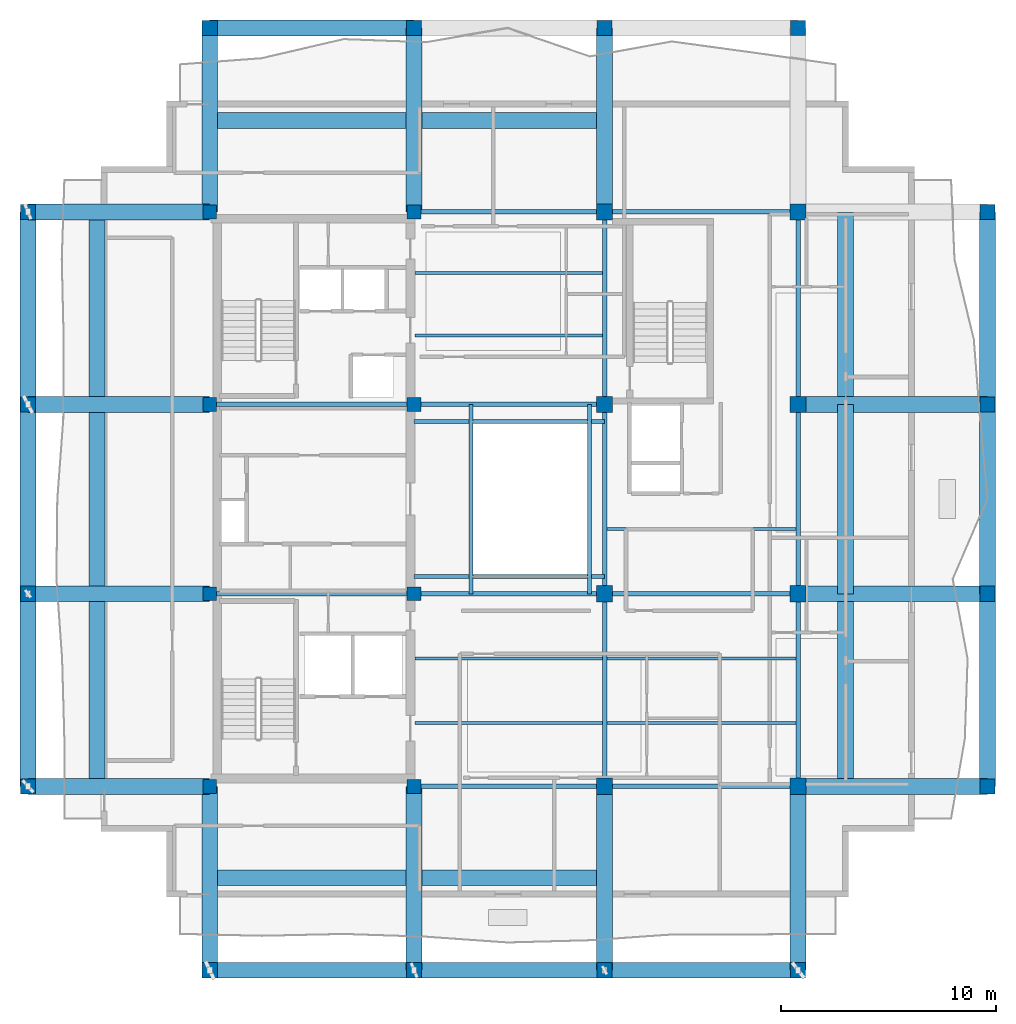
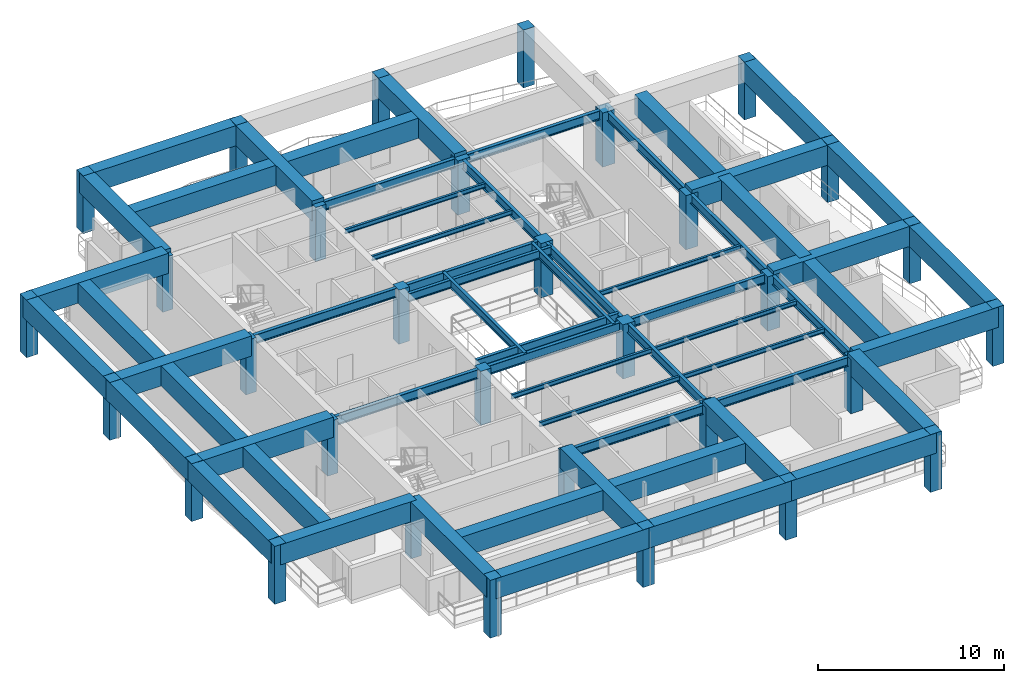
# One storey, part 1 of 10: 60 beams, 32 columns.
"""IFC4 building model written with IfcOpenShell, lengths in metres."""

from ifc_helpers import new_model, si_unit, direction, frame, origin, origin_2d, place, context, subcontext, project, spatial, rectangle, i_section, extrude, material, material_profile, profile_set, type_object, element, save


model = new_model("IFC4")

# Units and contexts
model_context = context("Model", 3, precision=1e-05, world=origin(), true_north=direction((0.0, 1.0)))
body_context = subcontext(model_context, "Body", "Model", "MODEL_VIEW")
ifc_project = project(units=[si_unit("LENGTHUNIT", "METRE"), si_unit("AREAUNIT", "SQUARE_METRE"), si_unit("VOLUMEUNIT", "CUBIC_METRE"), si_unit("PLANEANGLEUNIT", "RADIAN"), si_unit("MASSUNIT", "GRAM", prefix="KILO")], contexts=[model_context])

# Site, building, storey
site_placement = place(None, origin())
site = spatial("IfcSite", under=ifc_project, at=site_placement, CompositionType="ELEMENT")
building_placement = place(site_placement, origin())
building = spatial("IfcBuilding", under=site, at=building_placement, Name="Kundavana Baori Tower", CompositionType="ELEMENT")
storey_placement = place(building_placement, frame((0.0, 0.0, 323.89990234375)))
storey = spatial("IfcBuildingStorey", under=building, at=storey_placement, Name="L80", CompositionType="ELEMENT", Elevation=323.89990234375)

# Columns
ifc_material_1 = material(Name="Concrete C50/60", Category="concrete")
ifc_material_profile_1 = material_profile(ifc_material_1, rectangle(XDim=0.699951171875, YDim=0.699951171875, at=origin_2d()), Name="RC PF 700x700")
ifc_profile_set_1 = profile_set([ifc_material_profile_1], Name="Concrete C50/60")
column_type_1 = type_object("IfcColumnType", Name="COL-PF-700", PredefinedType="COLUMN", material=ifc_profile_set_1)
for number, where, z_axis, x_axis, name in (
    (1, (15.449951171875, 6.699951171875, 0.0), (0.0, 0.0, 1.0), (1.0, 0.0, 0.0), "L80 Stone-Clad Perimeter Frame Column PF-S1"),
    (2, (15.449951171875, 50.5, 0.0), (0.0, 0.0, 1.0), (1.0, 0.0, 0.0), "L80 Stone-Clad Perimeter Frame Column PF-N1"),
    (3, (24.949951171875, 6.699951171875, 0.0), (0.0, 0.0, 1.0), (1.0, 0.0, 0.0), "L80 Stone-Clad Perimeter Frame Column PF-S2"),
    (4, (24.949951171875, 50.5, 0.0), (0.0, 0.0, 1.0), (1.0, 0.0, 0.0), "L80 Stone-Clad Perimeter Frame Column PF-N2"),
    (5, (33.800048828125, 6.699951171875, 0.0), (0.0, 0.0, 1.0), (1.0, 0.0, 0.0), "L80 Stone-Clad Perimeter Frame Column PF-S3"),
    (6, (33.800048828125, 50.5, 0.0), (0.0, 0.0, 1.0), (1.0, 0.0, 0.0), "L80 Stone-Clad Perimeter Frame Column PF-N3"),
    (7, (42.800048828125, 6.699951171875, 0.0), (0.0, 0.0, 1.0), (1.0, 0.0, 0.0), "L80 Stone-Clad Perimeter Frame Column PF-S4"),
    (8, (42.800048828125, 50.5, 0.0), (0.0, 0.0, 1.0), (1.0, 0.0, 0.0), "L80 Stone-Clad Perimeter Frame Column PF-N4"),
    (9, (7.0, 15.25, 0.0), (0.0, 0.0, 1.0), (1.0, 0.0, 0.0), "L80 Stone-Clad Perimeter Frame Column PF-W1"),
    (10, (51.60009765625, 15.25, 0.0), (0.0, 0.0, 1.0), (1.0, 0.0, 0.0), "L80 Stone-Clad Perimeter Frame Column PF-E1"),
    (11, (7.0, 24.199951171875, 0.0), (0.0, 0.0, 1.0), (1.0, 0.0, 0.0), "L80 Stone-Clad Perimeter Frame Column PF-W2"),
    (12, (51.60009765625, 24.199951171875, 0.0), (0.0, 0.0, 1.0), (1.0, 0.0, 0.0), "L80 Stone-Clad Perimeter Frame Column PF-E2"),
    (13, (7.0, 33.0, 0.0), (0.0, 0.0, 1.0), (1.0, 0.0, 0.0), "L80 Stone-Clad Perimeter Frame Column PF-W3"),
    (14, (51.60009765625, 33.0, 0.0), (0.0, 0.0, 1.0), (1.0, 0.0, 0.0), "L80 Stone-Clad Perimeter Frame Column PF-E3"),
    (15, (7.0, 41.949951171875, 0.0), (0.0, 0.0, 1.0), (1.0, 0.0, 0.0), "L80 Stone-Clad Perimeter Frame Column PF-W4"),
    (16, (51.60009765625, 41.949951171875, 0.0), (0.0, 0.0, 1.0), (1.0, 0.0, 0.0), "L80 Stone-Clad Perimeter Frame Column PF-E4"),
):
    element("IfcColumn", number, at=place(storey_placement, frame(where, z_axis=z_axis, x_axis=x_axis)), inside=storey, type_object=column_type_1, Name=name, PredefinedType="COLUMN", context=body_context, shape_type="SweptSolid", body=[
        extrude(rectangle(XDim=0.699951171875, YDim=0.699951171875, at=origin_2d()), origin(), (0.0, 0.0, 1.0), 3.800048828125),
    ])
ifc_material_2 = material(Name="Concrete C50/60", Category="concrete")
ifc_material_profile_2 = material_profile(ifc_material_2, rectangle(XDim=0.64990234375, YDim=0.64990234375, at=origin_2d()), Name="RC 650x650")
ifc_profile_set_2 = profile_set([ifc_material_profile_2], Name="Concrete C50/60")
column_type_2 = type_object("IfcColumnType", Name="COL-RC-650", PredefinedType="COLUMN", material=ifc_profile_set_2)
for number, where, z_axis, x_axis, name in (
    (17, (15.449951171875, 15.25, 0.0), (0.0, 0.0, 1.0), (1.0, 0.0, 0.0), "L80 Interior Column IC-3C"),
    (18, (15.449951171875, 24.199951171875, 0.0), (0.0, 0.0, 1.0), (1.0, 0.0, 0.0), "L80 Interior Column IC-3D"),
    (19, (15.449951171875, 33.0, 0.0), (0.0, 0.0, 1.0), (1.0, 0.0, 0.0), "L80 Interior Column IC-3E"),
    (20, (15.449951171875, 41.949951171875, 0.0), (0.0, 0.0, 1.0), (1.0, 0.0, 0.0), "L80 Interior Column IC-3F"),
    (21, (24.949951171875, 15.25, 0.0), (0.0, 0.0, 1.0), (1.0, 0.0, 0.0), "L80 Interior Column IC-4C"),
    (22, (24.949951171875, 24.199951171875, 0.0), (0.0, 0.0, 1.0), (1.0, 0.0, 0.0), "L80 Interior Column IC-4D"),
    (23, (24.949951171875, 33.0, 0.0), (0.0, 0.0, 1.0), (1.0, 0.0, 0.0), "L80 Interior Column IC-4E"),
    (24, (24.949951171875, 41.949951171875, 0.0), (0.0, 0.0, 1.0), (1.0, 0.0, 0.0), "L80 Interior Column IC-4F"),
):
    element("IfcColumn", number, at=place(storey_placement, frame(where, z_axis=z_axis, x_axis=x_axis)), inside=storey, type_object=column_type_2, Name=name, PredefinedType="COLUMN", context=body_context, shape_type="SweptSolid", body=[
        extrude(rectangle(XDim=0.64990234375, YDim=0.64990234375, at=origin_2d()), origin(), (0.0, 0.0, 1.0), 3.56005859375),
    ])
ifc_material_3 = material(Name="Concrete C50/60", Category="concrete")
ifc_material_profile_3 = material_profile(ifc_material_3, rectangle(XDim=0.75, YDim=0.75, at=origin_2d()), Name="RC 750x750")
ifc_profile_set_3 = profile_set([ifc_material_profile_3], Name="Concrete C50/60")
column_type_3 = type_object("IfcColumnType", Name="COL-RC-750", PredefinedType="COLUMN", material=ifc_profile_set_3)
for number, where, z_axis, x_axis, name in (
    (25, (33.800048828125, 15.25, 0.0), (0.0, 0.0, 1.0), (1.0, 0.0, 0.0), "L80 Interior Column IC-5C"),
    (26, (33.800048828125, 24.199951171875, 0.0), (0.0, 0.0, 1.0), (1.0, 0.0, 0.0), "L80 Interior Column IC-5D"),
    (27, (33.800048828125, 33.0, 0.0), (0.0, 0.0, 1.0), (1.0, 0.0, 0.0), "L80 Interior Column IC-5E"),
    (28, (33.800048828125, 41.949951171875, 0.0), (0.0, 0.0, 1.0), (1.0, 0.0, 0.0), "L80 Interior Column IC-5F"),
    (29, (42.800048828125, 15.25, 0.0), (0.0, 0.0, 1.0), (1.0, 0.0, 0.0), "L80 Interior Column IC-6C"),
    (30, (42.800048828125, 24.199951171875, 0.0), (0.0, 0.0, 1.0), (1.0, 0.0, 0.0), "L80 Interior Column IC-6D"),
    (31, (42.800048828125, 33.0, 0.0), (0.0, 0.0, 1.0), (1.0, 0.0, 0.0), "L80 Interior Column IC-6E"),
    (32, (42.800048828125, 41.949951171875, 0.0), (0.0, 0.0, 1.0), (1.0, 0.0, 0.0), "L80 Interior Column IC-6F"),
):
    element("IfcColumn", number, at=place(storey_placement, frame(where, z_axis=z_axis, x_axis=x_axis)), inside=storey, type_object=column_type_3, Name=name, PredefinedType="COLUMN", context=body_context, shape_type="SweptSolid", body=[
        extrude(rectangle(XDim=0.75, YDim=0.75, at=origin_2d()), origin(), (0.0, 0.0, 1.0), 3.56005859375),
    ])

# Beams
ifc_material_4 = material(Name="Structural Steel S355JR", Category="steel")
ifc_material_profile_4 = material_profile(ifc_material_4, i_section(OverallWidth=0.139892578125, OverallDepth=0.300048828125, WebThickness=0.0078125, FlangeThickness=0.01318359375, FilletRadius=0.013916015625, at=origin_2d()), Name="ISMB 300")
ifc_profile_set_4 = profile_set([ifc_material_profile_4], Name="Structural Steel S355JR")
beam_type_1 = type_object("IfcBeamType", Name="BM-RF-300", PredefinedType="BEAM", material=ifc_profile_set_4)
for number, where, z_axis, x_axis, name in (
    (33, (24.97998046875, 18.199951171875, 3.41015625), (1.0, 0.0, 0.0), (0.0, 1.0, 0.0), "L80 Central Bay Composite Floor Joist C1"),
    (34, (24.97998046875, 21.199951171875, 3.41015625), (1.0, 0.0, 0.0), (0.0, 1.0, 0.0), "L80 Central Bay Composite Floor Joist C2"),
    (35, (24.97998046875, 36.199951171875, 3.41015625), (1.0, 0.0, 0.0), (0.0, 1.0, 0.0), "L80 Central Bay Composite Floor Joist C3"),
    (36, (24.97998046875, 39.10009765625, 3.41015625), (1.0, 0.0, 0.0), (0.0, 1.0, 0.0), "L80 Central Bay Composite Floor Joist C4"),
):
    element("IfcBeam", number, at=place(storey_placement, frame(where, z_axis=z_axis, x_axis=x_axis)), inside=storey, type_object=beam_type_1, Name=name, PredefinedType="BEAM", context=body_context, shape_type="SweptSolid", body=[
        extrude(i_section(OverallWidth=0.139892578125, OverallDepth=0.300048828125, WebThickness=0.0078125, FlangeThickness=0.01318359375, FilletRadius=0.013916015625, at=origin_2d()), origin(), (0.0, 0.0, 1.0), 8.715087890625),
    ])
for number, where, z_axis, x_axis, name in (
    (37, (33.905029296875, 18.199951171875, 3.41015625), (1.0, 0.0, 0.0), (0.0, 1.0, 0.0), "L80 East Bay Composite Floor Joist E1"),
    (38, (33.905029296875, 21.199951171875, 3.41015625), (1.0, 0.0, 0.0), (0.0, 1.0, 0.0), "L80 East Bay Composite Floor Joist E2"),
    (39, (33.905029296875, 27.199951171875, 3.41015625), (1.0, 0.0, 0.0), (0.0, 1.0, 0.0), "L80 East Bay Composite Floor Joist E3"),
):
    element("IfcBeam", number, at=place(storey_placement, frame(where, z_axis=z_axis, x_axis=x_axis)), inside=storey, type_object=beam_type_1, Name=name, PredefinedType="BEAM", context=body_context, shape_type="SweptSolid", body=[
        extrude(i_section(OverallWidth=0.139892578125, OverallDepth=0.300048828125, WebThickness=0.0078125, FlangeThickness=0.01318359375, FilletRadius=0.013916015625, at=origin_2d()), origin(), (0.0, 0.0, 1.0), 8.7900390625),
    ])
ifc_material_5 = material(Name="Structural Steel S355JR", Category="steel")
ifc_material_profile_5 = material_profile(ifc_material_5, i_section(OverallWidth=0.18994140625, OverallDepth=0.550048828125, WebThickness=0.01123046875, FlangeThickness=0.019287109375, FilletRadius=0.01806640625, at=origin_2d()), Name="ISMB 550")
ifc_profile_set_5 = profile_set([ifc_material_profile_5], Name="Structural Steel S355JR")
beam_type_2 = type_object("IfcBeamType", Name="BM-ST-550", PredefinedType="BEAM", material=ifc_profile_set_5)
for number, where, z_axis, x_axis, name in (
    (40, (27.60009765625, 24.199951171875, 3.28515625), (0.0, 1.0, 0.0), (-1.0, 0.0, 0.0), "L80 Atrium West Edge Beam"),
    (41, (33.10009765625, 24.199951171875, 3.28515625), (0.0, 1.0, 0.0), (-1.0, 0.0, 0.0), "L80 Atrium East Edge Beam"),
):
    element("IfcBeam", number, at=place(storey_placement, frame(where, z_axis=z_axis, x_axis=x_axis)), inside=storey, type_object=beam_type_2, Name=name, PredefinedType="BEAM", context=body_context, shape_type="SweptSolid", body=[
        extrude(i_section(OverallWidth=0.18994140625, OverallDepth=0.550048828125, WebThickness=0.01123046875, FlangeThickness=0.019287109375, FilletRadius=0.01806640625, at=origin_2d()), origin(), (0.0, 0.0, 1.0), 8.800048828125),
    ])
for number, where, z_axis, x_axis, name in (
    (42, (24.949951171875, 25.0, 3.28515625), (1.0, 0.0, 0.0), (0.0, 1.0, 0.0), "L80 Atrium South Edge Beam"),
    (43, (24.949951171875, 32.199951171875, 3.28515625), (1.0, 0.0, 0.0), (0.0, 1.0, 0.0), "L80 Atrium North Edge Beam"),
):
    element("IfcBeam", number, at=place(storey_placement, frame(where, z_axis=z_axis, x_axis=x_axis)), inside=storey, type_object=beam_type_2, Name=name, PredefinedType="BEAM", context=body_context, shape_type="SweptSolid", body=[
        extrude(i_section(OverallWidth=0.18994140625, OverallDepth=0.550048828125, WebThickness=0.01123046875, FlangeThickness=0.019287109375, FilletRadius=0.01806640625, at=origin_2d()), origin(), (0.0, 0.0, 1.0), 8.85009765625),
    ])
ifc_material_6 = material(Name="Structural Steel S355JR", Category="steel")
ifc_material_profile_6 = material_profile(ifc_material_6, i_section(OverallWidth=0.2099609375, OverallDepth=0.60009765625, WebThickness=0.011962890625, FlangeThickness=0.020751953125, FilletRadius=0.02001953125, at=origin_2d()), Name="ISMB 600")
ifc_profile_set_6 = profile_set([ifc_material_profile_6], Name="Structural Steel S355JR")
beam_type_3 = type_object("IfcBeamType", Name="BM-ST-600", PredefinedType="BEAM", material=ifc_profile_set_6)
beam_1_placement = place(storey_placement, frame((24.949951171875, 15.25, 3.260009765625), z_axis=(1.0, 0.0, 0.0), x_axis=(0.0, 1.0, 0.0)))
element("IfcBeam", 44, at=beam_1_placement, inside=storey, type_object=beam_type_3, Name="L80 Primary Grid Girder GX-1-2", PredefinedType="BEAM", context=body_context, shape_type="SweptSolid", body=[
    extrude(i_section(OverallWidth=0.2099609375, OverallDepth=0.60009765625, WebThickness=0.011962890625, FlangeThickness=0.020751953125, FilletRadius=0.02001953125, at=origin_2d()), origin(), (0.0, 0.0, 1.0), 8.85009765625),
])
beam_2_placement = place(storey_placement, frame((33.800048828125, 15.25, 3.260009765625), z_axis=(1.0, 0.0, 0.0), x_axis=(0.0, 1.0, 0.0)))
element("IfcBeam", 45, at=beam_2_placement, inside=storey, type_object=beam_type_3, Name="L80 Primary Grid Girder GX-1-3", PredefinedType="BEAM", context=body_context, shape_type="SweptSolid", body=[
    extrude(i_section(OverallWidth=0.2099609375, OverallDepth=0.60009765625, WebThickness=0.011962890625, FlangeThickness=0.020751953125, FilletRadius=0.02001953125, at=origin_2d()), origin(), (0.0, 0.0, 1.0), 9.0),
])
beam_3_placement = place(storey_placement, frame((15.449951171875, 24.199951171875, 3.260009765625), z_axis=(1.0, 0.0, 0.0), x_axis=(0.0, 1.0, 0.0)))
element("IfcBeam", 46, at=beam_3_placement, inside=storey, type_object=beam_type_3, Name="L80 Primary Grid Girder GX-2-1", PredefinedType="BEAM", context=body_context, shape_type="SweptSolid", body=[
    extrude(i_section(OverallWidth=0.2099609375, OverallDepth=0.60009765625, WebThickness=0.011962890625, FlangeThickness=0.020751953125, FilletRadius=0.02001953125, at=origin_2d()), origin(), (0.0, 0.0, 1.0), 9.5),
])
beam_4_placement = place(storey_placement, frame((24.949951171875, 24.199951171875, 3.260009765625), z_axis=(1.0, 0.0, 0.0), x_axis=(0.0, 1.0, 0.0)))
element("IfcBeam", 47, at=beam_4_placement, inside=storey, type_object=beam_type_3, Name="L80 Primary Grid Girder GX-2-2", PredefinedType="BEAM", context=body_context, shape_type="SweptSolid", body=[
    extrude(i_section(OverallWidth=0.2099609375, OverallDepth=0.60009765625, WebThickness=0.011962890625, FlangeThickness=0.020751953125, FilletRadius=0.02001953125, at=origin_2d()), origin(), (0.0, 0.0, 1.0), 8.85009765625),
])
beam_5_placement = place(storey_placement, frame((33.800048828125, 24.199951171875, 3.260009765625), z_axis=(1.0, 0.0, 0.0), x_axis=(0.0, 1.0, 0.0)))
element("IfcBeam", 48, at=beam_5_placement, inside=storey, type_object=beam_type_3, Name="L80 Primary Grid Girder GX-2-3", PredefinedType="BEAM", context=body_context, shape_type="SweptSolid", body=[
    extrude(i_section(OverallWidth=0.2099609375, OverallDepth=0.60009765625, WebThickness=0.011962890625, FlangeThickness=0.020751953125, FilletRadius=0.02001953125, at=origin_2d()), origin(), (0.0, 0.0, 1.0), 9.0),
])
beam_6_placement = place(storey_placement, frame((15.449951171875, 33.0, 3.260009765625), z_axis=(1.0, 0.0, 0.0), x_axis=(0.0, 1.0, 0.0)))
element("IfcBeam", 49, at=beam_6_placement, inside=storey, type_object=beam_type_3, Name="L80 Primary Grid Girder GX-3-1", PredefinedType="BEAM", context=body_context, shape_type="SweptSolid", body=[
    extrude(i_section(OverallWidth=0.2099609375, OverallDepth=0.60009765625, WebThickness=0.011962890625, FlangeThickness=0.020751953125, FilletRadius=0.02001953125, at=origin_2d()), origin(), (0.0, 0.0, 1.0), 9.5),
])
for number, where, z_axis, x_axis, name in (
    (50, (24.949951171875, 33.0, 3.260009765625), (1.0, 0.0, 0.0), (0.0, 1.0, 0.0), "L80 Primary Grid Girder GX-3-2"),
    (51, (24.949951171875, 41.949951171875, 3.260009765625), (1.0, 0.0, 0.0), (0.0, 1.0, 0.0), "L80 Primary Grid Girder GX-4-2"),
):
    element("IfcBeam", number, at=place(storey_placement, frame(where, z_axis=z_axis, x_axis=x_axis)), inside=storey, type_object=beam_type_3, Name=name, PredefinedType="BEAM", context=body_context, shape_type="SweptSolid", body=[
        extrude(i_section(OverallWidth=0.2099609375, OverallDepth=0.60009765625, WebThickness=0.011962890625, FlangeThickness=0.020751953125, FilletRadius=0.02001953125, at=origin_2d()), origin(), (0.0, 0.0, 1.0), 8.85009765625),
    ])
beam_7_placement = place(storey_placement, frame((33.800048828125, 41.949951171875, 3.260009765625), z_axis=(1.0, 0.0, 0.0), x_axis=(0.0, 1.0, 0.0)))
element("IfcBeam", 52, at=beam_7_placement, inside=storey, type_object=beam_type_3, Name="L80 Primary Grid Girder GX-4-3", PredefinedType="BEAM", context=body_context, shape_type="SweptSolid", body=[
    extrude(i_section(OverallWidth=0.2099609375, OverallDepth=0.60009765625, WebThickness=0.011962890625, FlangeThickness=0.020751953125, FilletRadius=0.02001953125, at=origin_2d()), origin(), (0.0, 0.0, 1.0), 9.0),
])
beam_8_placement = place(storey_placement, frame((33.800048828125, 15.25, 3.260009765625), z_axis=(0.0, 1.0, 0.0), x_axis=(-1.0, 0.0, 0.0)))
element("IfcBeam", 53, at=beam_8_placement, inside=storey, type_object=beam_type_3, Name="L80 Primary Grid Girder GY-3-1", PredefinedType="BEAM", context=body_context, shape_type="SweptSolid", body=[
    extrude(i_section(OverallWidth=0.2099609375, OverallDepth=0.60009765625, WebThickness=0.011962890625, FlangeThickness=0.020751953125, FilletRadius=0.02001953125, at=origin_2d()), origin(), (0.0, 0.0, 1.0), 8.949951171875),
])
beam_9_placement = place(storey_placement, frame((33.800048828125, 24.199951171875, 3.260009765625), z_axis=(0.0, 1.0, 0.0), x_axis=(-1.0, 0.0, 0.0)))
element("IfcBeam", 54, at=beam_9_placement, inside=storey, type_object=beam_type_3, Name="L80 Primary Grid Girder GY-3-2", PredefinedType="BEAM", context=body_context, shape_type="SweptSolid", body=[
    extrude(i_section(OverallWidth=0.2099609375, OverallDepth=0.60009765625, WebThickness=0.011962890625, FlangeThickness=0.020751953125, FilletRadius=0.02001953125, at=origin_2d()), origin(), (0.0, 0.0, 1.0), 8.800048828125),
])
for number, where, z_axis, x_axis, name in (
    (55, (33.800048828125, 33.0, 3.260009765625), (0.0, 1.0, 0.0), (-1.0, 0.0, 0.0), "L80 Primary Grid Girder GY-3-3"),
    (56, (42.800048828125, 15.25, 3.260009765625), (0.0, 1.0, 0.0), (-1.0, 0.0, 0.0), "L80 Primary Grid Girder GY-4-1"),
):
    element("IfcBeam", number, at=place(storey_placement, frame(where, z_axis=z_axis, x_axis=x_axis)), inside=storey, type_object=beam_type_3, Name=name, PredefinedType="BEAM", context=body_context, shape_type="SweptSolid", body=[
        extrude(i_section(OverallWidth=0.2099609375, OverallDepth=0.60009765625, WebThickness=0.011962890625, FlangeThickness=0.020751953125, FilletRadius=0.02001953125, at=origin_2d()), origin(), (0.0, 0.0, 1.0), 8.949951171875),
    ])
beam_10_placement = place(storey_placement, frame((42.800048828125, 24.199951171875, 3.260009765625), z_axis=(0.0, 1.0, 0.0), x_axis=(-1.0, 0.0, 0.0)))
element("IfcBeam", 57, at=beam_10_placement, inside=storey, type_object=beam_type_3, Name="L80 Primary Grid Girder GY-4-2", PredefinedType="BEAM", context=body_context, shape_type="SweptSolid", body=[
    extrude(i_section(OverallWidth=0.2099609375, OverallDepth=0.60009765625, WebThickness=0.011962890625, FlangeThickness=0.020751953125, FilletRadius=0.02001953125, at=origin_2d()), origin(), (0.0, 0.0, 1.0), 8.800048828125),
])
beam_11_placement = place(storey_placement, frame((42.800048828125, 33.0, 3.260009765625), z_axis=(0.0, 1.0, 0.0), x_axis=(-1.0, 0.0, 0.0)))
element("IfcBeam", 58, at=beam_11_placement, inside=storey, type_object=beam_type_3, Name="L80 Primary Grid Girder GY-4-3", PredefinedType="BEAM", context=body_context, shape_type="SweptSolid", body=[
    extrude(i_section(OverallWidth=0.2099609375, OverallDepth=0.60009765625, WebThickness=0.011962890625, FlangeThickness=0.020751953125, FilletRadius=0.02001953125, at=origin_2d()), origin(), (0.0, 0.0, 1.0), 8.949951171875),
])
ifc_material_7 = material(Name="Concrete C50/60", Category="concrete")
ifc_material_profile_7 = material_profile(ifc_material_7, rectangle(XDim=0.739990234375, YDim=1.320068359375, at=origin_2d()), Name="BM-TG-5")
ifc_profile_set_7 = profile_set([ifc_material_profile_7], Name="Concrete C50/60")
beam_type_4 = type_object("IfcBeamType", Name="BM-TG-5", PredefinedType="USERDEFINED", material=ifc_profile_set_7)
beam_12_placement = place(storey_placement, frame((15.449951171875, 6.699951171875, 3.14013671875), z_axis=(1.0, 0.0, 0.0), x_axis=(0.0, 1.0, 0.0)))
element("IfcBeam", 59, at=beam_12_placement, inside=storey, type_object=beam_type_4, Name="L80 Perimeter Frame Ring Beam S1", ObjectType="TRANSFER GIRDER", PredefinedType="USERDEFINED", context=body_context, shape_type="SweptSolid", body=[
    extrude(rectangle(XDim=0.739990234375, YDim=1.320068359375, at=origin_2d()), origin(), (0.0, 0.0, 1.0), 9.5),
])
beam_13_placement = place(storey_placement, frame((24.949951171875, 6.699951171875, 3.14013671875), z_axis=(1.0, 0.0, 0.0), x_axis=(0.0, 1.0, 0.0)))
element("IfcBeam", 60, at=beam_13_placement, inside=storey, type_object=beam_type_4, Name="L80 Perimeter Frame Ring Beam S2", ObjectType="TRANSFER GIRDER", PredefinedType="USERDEFINED", context=body_context, shape_type="SweptSolid", body=[
    extrude(rectangle(XDim=0.739990234375, YDim=1.320068359375, at=origin_2d()), origin(), (0.0, 0.0, 1.0), 8.85009765625),
])
beam_14_placement = place(storey_placement, frame((33.800048828125, 6.699951171875, 3.14013671875), z_axis=(1.0, 0.0, 0.0), x_axis=(0.0, 1.0, 0.0)))
element("IfcBeam", 61, at=beam_14_placement, inside=storey, type_object=beam_type_4, Name="L80 Perimeter Frame Ring Beam S3", ObjectType="TRANSFER GIRDER", PredefinedType="USERDEFINED", context=body_context, shape_type="SweptSolid", body=[
    extrude(rectangle(XDim=0.739990234375, YDim=1.320068359375, at=origin_2d()), origin(), (0.0, 0.0, 1.0), 9.0),
])
beam_15_placement = place(storey_placement, frame((15.449951171875, 50.5, 3.14013671875), z_axis=(1.0, 0.0, 0.0), x_axis=(0.0, 1.0, 0.0)))
element("IfcBeam", 62, at=beam_15_placement, inside=storey, type_object=beam_type_4, Name="L80 Perimeter Frame Ring Beam N1", ObjectType="TRANSFER GIRDER", PredefinedType="USERDEFINED", context=body_context, shape_type="SweptSolid", body=[
    extrude(rectangle(XDim=0.739990234375, YDim=1.320068359375, at=origin_2d()), origin(), (0.0, 0.0, 1.0), 9.5),
])
beam_16_placement = place(storey_placement, frame((7.0, 15.25, 3.14013671875), z_axis=(0.0, 1.0, 0.0), x_axis=(-1.0, 0.0, 0.0)))
element("IfcBeam", 63, at=beam_16_placement, inside=storey, type_object=beam_type_4, Name="L80 Perimeter Frame Ring Beam W1", ObjectType="TRANSFER GIRDER", PredefinedType="USERDEFINED", context=body_context, shape_type="SweptSolid", body=[
    extrude(rectangle(XDim=0.739990234375, YDim=1.320068359375, at=origin_2d()), origin(), (0.0, 0.0, 1.0), 8.949951171875),
])
beam_17_placement = place(storey_placement, frame((7.0, 24.199951171875, 3.14013671875), z_axis=(0.0, 1.0, 0.0), x_axis=(-1.0, 0.0, 0.0)))
element("IfcBeam", 64, at=beam_17_placement, inside=storey, type_object=beam_type_4, Name="L80 Perimeter Frame Ring Beam W2", ObjectType="TRANSFER GIRDER", PredefinedType="USERDEFINED", context=body_context, shape_type="SweptSolid", body=[
    extrude(rectangle(XDim=0.739990234375, YDim=1.320068359375, at=origin_2d()), origin(), (0.0, 0.0, 1.0), 8.800048828125),
])
for number, where, z_axis, x_axis, name in (
    (65, (7.0, 33.0, 3.14013671875), (0.0, 1.0, 0.0), (-1.0, 0.0, 0.0), "L80 Perimeter Frame Ring Beam W3"),
    (66, (51.60009765625, 15.25, 3.14013671875), (0.0, 1.0, 0.0), (-1.0, 0.0, 0.0), "L80 Perimeter Frame Ring Beam E1"),
):
    element("IfcBeam", number, at=place(storey_placement, frame(where, z_axis=z_axis, x_axis=x_axis)), inside=storey, type_object=beam_type_4, Name=name, ObjectType="TRANSFER GIRDER", PredefinedType="USERDEFINED", context=body_context, shape_type="SweptSolid", body=[
        extrude(rectangle(XDim=0.739990234375, YDim=1.320068359375, at=origin_2d()), origin(), (0.0, 0.0, 1.0), 8.949951171875),
    ])
beam_18_placement = place(storey_placement, frame((51.60009765625, 24.199951171875, 3.14013671875), z_axis=(0.0, 1.0, 0.0), x_axis=(-1.0, 0.0, 0.0)))
element("IfcBeam", 67, at=beam_18_placement, inside=storey, type_object=beam_type_4, Name="L80 Perimeter Frame Ring Beam E2", ObjectType="TRANSFER GIRDER", PredefinedType="USERDEFINED", context=body_context, shape_type="SweptSolid", body=[
    extrude(rectangle(XDim=0.739990234375, YDim=1.320068359375, at=origin_2d()), origin(), (0.0, 0.0, 1.0), 8.800048828125),
])
beam_19_placement = place(storey_placement, frame((51.60009765625, 33.0, 3.14013671875), z_axis=(0.0, 1.0, 0.0), x_axis=(-1.0, 0.0, 0.0)))
element("IfcBeam", 68, at=beam_19_placement, inside=storey, type_object=beam_type_4, Name="L80 Perimeter Frame Ring Beam E3", ObjectType="TRANSFER GIRDER", PredefinedType="USERDEFINED", context=body_context, shape_type="SweptSolid", body=[
    extrude(rectangle(XDim=0.739990234375, YDim=1.320068359375, at=origin_2d()), origin(), (0.0, 0.0, 1.0), 8.949951171875),
])
for number, where, z_axis, x_axis, name in (
    (69, (15.449951171875, 15.25, 3.14013671875), (0.0, -1.0, 0.0), (1.0, 0.0, 0.0), "L80 South Radial Transfer Girder S1"),
    (70, (15.449951171875, 41.949951171875, 3.14013671875), (0.0, 1.0, 0.0), (-1.0, 0.0, 0.0), "L80 North Radial Transfer Girder N1"),
    (71, (24.949951171875, 15.25, 3.14013671875), (0.0, -1.0, 0.0), (1.0, 0.0, 0.0), "L80 South Radial Transfer Girder S2"),
    (72, (24.949951171875, 41.949951171875, 3.14013671875), (0.0, 1.0, 0.0), (-1.0, 0.0, 0.0), "L80 North Radial Transfer Girder N2"),
    (73, (33.800048828125, 15.25, 3.14013671875), (0.0, -1.0, 0.0), (1.0, 0.0, 0.0), "L80 South Radial Transfer Girder S3"),
    (74, (33.800048828125, 41.949951171875, 3.14013671875), (0.0, 1.0, 0.0), (-1.0, 0.0, 0.0), "L80 North Radial Transfer Girder N3"),
    (75, (42.800048828125, 15.25, 3.14013671875), (0.0, -1.0, 0.0), (1.0, 0.0, 0.0), "L80 South Radial Transfer Girder S4"),
):
    element("IfcBeam", number, at=place(storey_placement, frame(where, z_axis=z_axis, x_axis=x_axis)), inside=storey, type_object=beam_type_4, Name=name, ObjectType="TRANSFER GIRDER", PredefinedType="USERDEFINED", context=body_context, shape_type="SweptSolid", body=[
        extrude(rectangle(XDim=0.739990234375, YDim=1.320068359375, at=origin_2d()), origin(), (0.0, 0.0, 1.0), 8.550048828125),
    ])
beam_20_placement = place(storey_placement, frame((15.449951171875, 15.25, 3.14013671875), z_axis=(-1.0, 0.0, 0.0), x_axis=(0.0, -1.0, 0.0)))
element("IfcBeam", 76, at=beam_20_placement, inside=storey, type_object=beam_type_4, Name="L80 West Radial Transfer Girder W1", ObjectType="TRANSFER GIRDER", PredefinedType="USERDEFINED", context=body_context, shape_type="SweptSolid", body=[
    extrude(rectangle(XDim=0.739990234375, YDim=1.320068359375, at=origin_2d()), origin(), (0.0, 0.0, 1.0), 8.449951171875),
])
beam_21_placement = place(storey_placement, frame((42.800048828125, 15.25, 3.14013671875), z_axis=(1.0, 0.0, 0.0), x_axis=(0.0, 1.0, 0.0)))
element("IfcBeam", 77, at=beam_21_placement, inside=storey, type_object=beam_type_4, Name="L80 East Radial Transfer Girder E1", ObjectType="TRANSFER GIRDER", PredefinedType="USERDEFINED", context=body_context, shape_type="SweptSolid", body=[
    extrude(rectangle(XDim=0.739990234375, YDim=1.320068359375, at=origin_2d()), origin(), (0.0, 0.0, 1.0), 8.800048828125),
])
beam_22_placement = place(storey_placement, frame((15.449951171875, 24.199951171875, 3.14013671875), z_axis=(-1.0, 0.0, 0.0), x_axis=(0.0, -1.0, 0.0)))
element("IfcBeam", 78, at=beam_22_placement, inside=storey, type_object=beam_type_4, Name="L80 West Radial Transfer Girder W2", ObjectType="TRANSFER GIRDER", PredefinedType="USERDEFINED", context=body_context, shape_type="SweptSolid", body=[
    extrude(rectangle(XDim=0.739990234375, YDim=1.320068359375, at=origin_2d()), origin(), (0.0, 0.0, 1.0), 8.449951171875),
])
beam_23_placement = place(storey_placement, frame((42.800048828125, 24.199951171875, 3.14013671875), z_axis=(1.0, 0.0, 0.0), x_axis=(0.0, 1.0, 0.0)))
element("IfcBeam", 79, at=beam_23_placement, inside=storey, type_object=beam_type_4, Name="L80 East Radial Transfer Girder E2", ObjectType="TRANSFER GIRDER", PredefinedType="USERDEFINED", context=body_context, shape_type="SweptSolid", body=[
    extrude(rectangle(XDim=0.739990234375, YDim=1.320068359375, at=origin_2d()), origin(), (0.0, 0.0, 1.0), 8.800048828125),
])
beam_24_placement = place(storey_placement, frame((15.449951171875, 33.0, 3.14013671875), z_axis=(-1.0, 0.0, 0.0), x_axis=(0.0, -1.0, 0.0)))
element("IfcBeam", 80, at=beam_24_placement, inside=storey, type_object=beam_type_4, Name="L80 West Radial Transfer Girder W3", ObjectType="TRANSFER GIRDER", PredefinedType="USERDEFINED", context=body_context, shape_type="SweptSolid", body=[
    extrude(rectangle(XDim=0.739990234375, YDim=1.320068359375, at=origin_2d()), origin(), (0.0, 0.0, 1.0), 8.449951171875),
])
beam_25_placement = place(storey_placement, frame((42.800048828125, 33.0, 3.14013671875), z_axis=(1.0, 0.0, 0.0), x_axis=(0.0, 1.0, 0.0)))
element("IfcBeam", 81, at=beam_25_placement, inside=storey, type_object=beam_type_4, Name="L80 East Radial Transfer Girder E3", ObjectType="TRANSFER GIRDER", PredefinedType="USERDEFINED", context=body_context, shape_type="SweptSolid", body=[
    extrude(rectangle(XDim=0.739990234375, YDim=1.320068359375, at=origin_2d()), origin(), (0.0, 0.0, 1.0), 8.800048828125),
])
beam_26_placement = place(storey_placement, frame((15.449951171875, 41.949951171875, 3.14013671875), z_axis=(-1.0, 0.0, 0.0), x_axis=(0.0, -1.0, 0.0)))
element("IfcBeam", 82, at=beam_26_placement, inside=storey, type_object=beam_type_4, Name="L80 West Radial Transfer Girder W4", ObjectType="TRANSFER GIRDER", PredefinedType="USERDEFINED", context=body_context, shape_type="SweptSolid", body=[
    extrude(rectangle(XDim=0.739990234375, YDim=1.320068359375, at=origin_2d()), origin(), (0.0, 0.0, 1.0), 8.449951171875),
])
beam_27_placement = place(storey_placement, frame((15.449951171875, 11.0, 3.14013671875), z_axis=(1.0, 0.0, 0.0), x_axis=(0.0, 1.0, 0.0)))
element("IfcBeam", 83, at=beam_27_placement, inside=storey, type_object=beam_type_4, Name="L80 Setback Collar Transfer Girder S1", ObjectType="TRANSFER GIRDER", PredefinedType="USERDEFINED", context=body_context, shape_type="SweptSolid", body=[
    extrude(rectangle(XDim=0.739990234375, YDim=1.320068359375, at=origin_2d()), origin(), (0.0, 0.0, 1.0), 9.5),
])
beam_28_placement = place(storey_placement, frame((24.949951171875, 11.0, 3.14013671875), z_axis=(1.0, 0.0, 0.0), x_axis=(0.0, 1.0, 0.0)))
element("IfcBeam", 84, at=beam_28_placement, inside=storey, type_object=beam_type_4, Name="L80 Setback Collar Transfer Girder S2", ObjectType="TRANSFER GIRDER", PredefinedType="USERDEFINED", context=body_context, shape_type="SweptSolid", body=[
    extrude(rectangle(XDim=0.739990234375, YDim=1.320068359375, at=origin_2d()), origin(), (0.0, 0.0, 1.0), 8.85009765625),
])
beam_29_placement = place(storey_placement, frame((15.449951171875, 46.199951171875, 3.14013671875), z_axis=(1.0, 0.0, 0.0), x_axis=(0.0, 1.0, 0.0)))
element("IfcBeam", 85, at=beam_29_placement, inside=storey, type_object=beam_type_4, Name="L80 Setback Collar Transfer Girder N1", ObjectType="TRANSFER GIRDER", PredefinedType="USERDEFINED", context=body_context, shape_type="SweptSolid", body=[
    extrude(rectangle(XDim=0.739990234375, YDim=1.320068359375, at=origin_2d()), origin(), (0.0, 0.0, 1.0), 9.5),
])
beam_30_placement = place(storey_placement, frame((24.949951171875, 46.199951171875, 3.14013671875), z_axis=(1.0, 0.0, 0.0), x_axis=(0.0, 1.0, 0.0)))
element("IfcBeam", 86, at=beam_30_placement, inside=storey, type_object=beam_type_4, Name="L80 Setback Collar Transfer Girder N2", ObjectType="TRANSFER GIRDER", PredefinedType="USERDEFINED", context=body_context, shape_type="SweptSolid", body=[
    extrude(rectangle(XDim=0.739990234375, YDim=1.320068359375, at=origin_2d()), origin(), (0.0, 0.0, 1.0), 8.85009765625),
])
beam_31_placement = place(storey_placement, frame((10.199951171875, 15.25, 3.14013671875), z_axis=(0.0, 1.0, 0.0), x_axis=(-1.0, 0.0, 0.0)))
element("IfcBeam", 87, at=beam_31_placement, inside=storey, type_object=beam_type_4, Name="L80 Setback Collar Transfer Girder W1", ObjectType="TRANSFER GIRDER", PredefinedType="USERDEFINED", context=body_context, shape_type="SweptSolid", body=[
    extrude(rectangle(XDim=0.739990234375, YDim=1.320068359375, at=origin_2d()), origin(), (0.0, 0.0, 1.0), 8.949951171875),
])
beam_32_placement = place(storey_placement, frame((10.199951171875, 24.199951171875, 3.14013671875), z_axis=(0.0, 1.0, 0.0), x_axis=(-1.0, 0.0, 0.0)))
element("IfcBeam", 88, at=beam_32_placement, inside=storey, type_object=beam_type_4, Name="L80 Setback Collar Transfer Girder W2", ObjectType="TRANSFER GIRDER", PredefinedType="USERDEFINED", context=body_context, shape_type="SweptSolid", body=[
    extrude(rectangle(XDim=0.739990234375, YDim=1.320068359375, at=origin_2d()), origin(), (0.0, 0.0, 1.0), 8.800048828125),
])
for number, where, z_axis, x_axis, name in (
    (89, (10.199951171875, 33.0, 3.14013671875), (0.0, 1.0, 0.0), (-1.0, 0.0, 0.0), "L80 Setback Collar Transfer Girder W3"),
    (90, (45.0, 15.25, 3.14013671875), (0.0, 1.0, 0.0), (-1.0, 0.0, 0.0), "L80 Setback Collar Transfer Girder E1"),
):
    element("IfcBeam", number, at=place(storey_placement, frame(where, z_axis=z_axis, x_axis=x_axis)), inside=storey, type_object=beam_type_4, Name=name, ObjectType="TRANSFER GIRDER", PredefinedType="USERDEFINED", context=body_context, shape_type="SweptSolid", body=[
        extrude(rectangle(XDim=0.739990234375, YDim=1.320068359375, at=origin_2d()), origin(), (0.0, 0.0, 1.0), 8.949951171875),
    ])
beam_33_placement = place(storey_placement, frame((45.0, 24.199951171875, 3.14013671875), z_axis=(0.0, 1.0, 0.0), x_axis=(-1.0, 0.0, 0.0)))
element("IfcBeam", 91, at=beam_33_placement, inside=storey, type_object=beam_type_4, Name="L80 Setback Collar Transfer Girder E2", ObjectType="TRANSFER GIRDER", PredefinedType="USERDEFINED", context=body_context, shape_type="SweptSolid", body=[
    extrude(rectangle(XDim=0.739990234375, YDim=1.320068359375, at=origin_2d()), origin(), (0.0, 0.0, 1.0), 8.800048828125),
])
beam_34_placement = place(storey_placement, frame((45.0, 33.0, 3.14013671875), z_axis=(0.0, 1.0, 0.0), x_axis=(-1.0, 0.0, 0.0)))
element("IfcBeam", 92, at=beam_34_placement, inside=storey, type_object=beam_type_4, Name="L80 Setback Collar Transfer Girder E3", ObjectType="TRANSFER GIRDER", PredefinedType="USERDEFINED", context=body_context, shape_type="SweptSolid", body=[
    extrude(rectangle(XDim=0.739990234375, YDim=1.320068359375, at=origin_2d()), origin(), (0.0, 0.0, 1.0), 8.949951171875),
])

save(model, "model.ifc")
